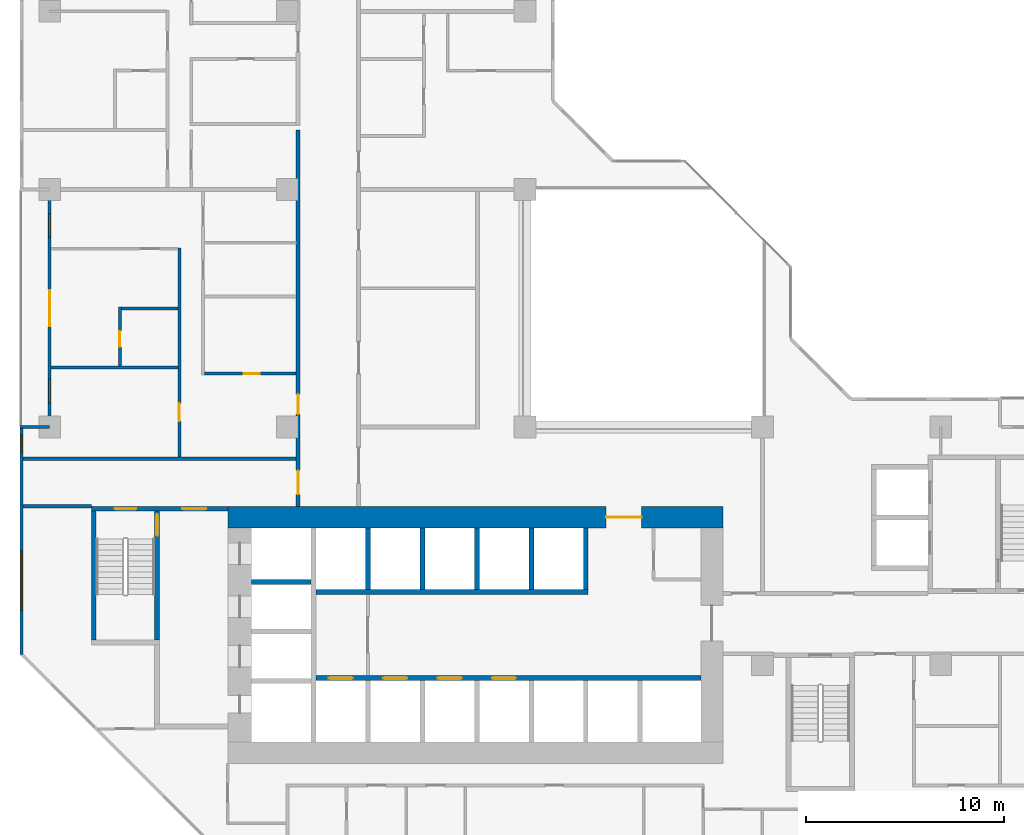
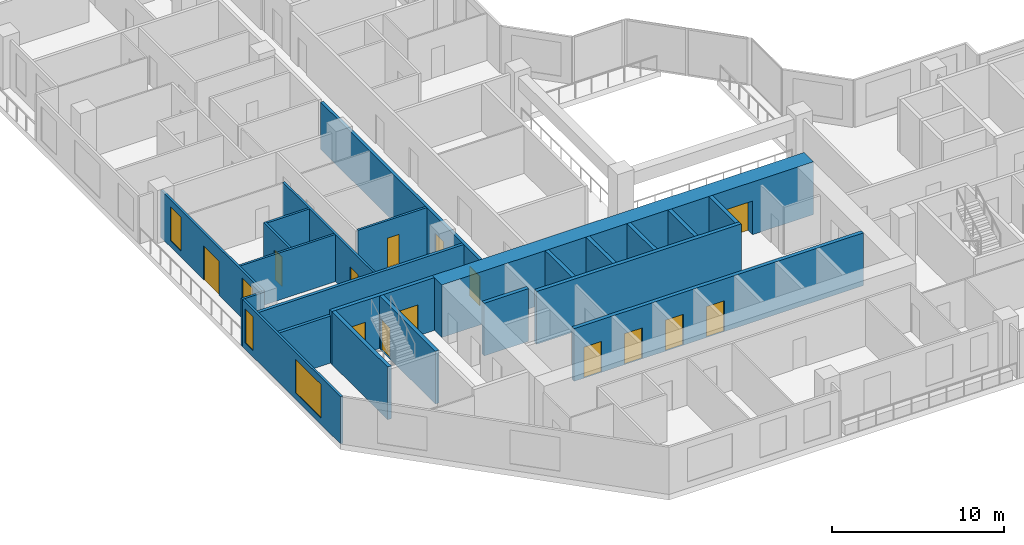
# One storey, part 5 of 15: 23 walls, 14 doors, 4 windows, 18 openings.
"""IFC4 building model written with IfcOpenShell, lengths in metres."""

import ifcopenshell
import ifcopenshell.guid

model = None  # the IFC model being written
_history = None  # IfcOwnerHistory: only IFC2X3 demands one
_inside = {}  # id of a spatial element -> (the spatial element, [elements in it])
_under = {}  # id of a project, library or spatial element -> (it, [spatial elements below it])
_declared = {}  # id of a project -> (the project, [libraries it declares])
_typed = {}  # id of a type object -> (the type object, [elements of that type])
_made_of = {}  # id of a material, layer set ... -> (it, [elements and type objects made of it])


def new_model(schema):
    """Start an empty IFC model of exactly this schema.

    Asked for "IFC4X3", IfcOpenShell would pick the latest addendum, in which some entities
    have other attributes; the version numbers below select the first issue.
    IFC2X3 requires an IfcOwnerHistory on every rooted entity: one is made here for all.
    """
    global model, _history
    if schema == "IFC4X3":
        model = ifcopenshell.file(schema_version=(4, 3, 0, 0))
    else:
        model = ifcopenshell.file(schema=schema)
    _inside.clear()
    _under.clear()
    _declared.clear()
    _typed.clear()
    _made_of.clear()
    _history = None
    if model.schema == "IFC2X3":
        org = make("IfcOrganization", Name="unknown")
        user = make(
            "IfcPersonAndOrganization",
            ThePerson=make("IfcPerson", FamilyName="unknown"),
            TheOrganization=org,
        )
        app = make(
            "IfcApplication",
            ApplicationDeveloper=org,
            Version="unknown",
            ApplicationFullName="unknown",
            ApplicationIdentifier="unknown",
        )
        _history = make(
            "IfcOwnerHistory",
            OwningUser=user,
            OwningApplication=app,
            ChangeAction="ADDED",
            CreationDate=0,
        )
    return model


def make(cls, **values):
    """One entity of the class cls with the attributes given. An attribute that is None is left unset."""
    return model.create_entity(
        cls, **{name: value for name, value in values.items() if value is not None}
    )


def rooted(cls, **values):
    """An entity with a GlobalId (a new one), such as an element, a storey or a relation."""
    return make(cls, GlobalId=ifcopenshell.guid.new(), OwnerHistory=_history, **values)


def si_unit(unit_type, name, prefix=None):
    """IfcSIUnit, for example si_unit("LENGTHUNIT", "METRE", prefix="MILLI")."""
    return make("IfcSIUnit", UnitType=unit_type, Prefix=prefix, Name=name)


def assignment(units):
    """IfcUnitAssignment: the units of a project."""
    return None if units is None else make("IfcUnitAssignment", Units=units)


def point(xyz):
    """IfcCartesianPoint."""
    return None if xyz is None else make("IfcCartesianPoint", Coordinates=xyz)


def direction(xyz):
    """IfcDirection."""
    return None if xyz is None else make("IfcDirection", DirectionRatios=xyz)


def frame(location, z_axis=None, x_axis=None):
    """IfcAxis2Placement3D, a coordinate frame: its origin and axes. An axis left out is left unset."""
    return make(
        "IfcAxis2Placement3D",
        Location=point(location),
        Axis=direction(z_axis),
        RefDirection=direction(x_axis),
    )


def frame_2d(location, x_axis=None):
    """IfcAxis2Placement2D, a coordinate frame in the plane: its origin and x axis."""
    return make(
        "IfcAxis2Placement2D", Location=point(location), RefDirection=direction(x_axis)
    )


def origin():
    """The frame at (0, 0, 0) with its axes left unset."""
    return frame((0.0, 0.0, 0.0))


def place(relative_to, where):
    """IfcLocalPlacement: puts the frame where relative to a parent placement (None: the world)."""
    return make(
        "IfcLocalPlacement", PlacementRelTo=relative_to, RelativePlacement=where
    )


def context(
    kind, dimensions, precision=None, world=None, true_north=None, identifier=None
):
    """IfcGeometricRepresentationContext, for example the 3D "Model" context."""
    return make(
        "IfcGeometricRepresentationContext",
        ContextIdentifier=identifier,
        ContextType=kind,
        CoordinateSpaceDimension=dimensions,
        Precision=precision,
        WorldCoordinateSystem=world,
        TrueNorth=true_north,
    )


def subcontext(parent, identifier, kind, view, scale=None):
    """IfcGeometricRepresentationSubContext, for example "Body" below "Model"."""
    return make(
        "IfcGeometricRepresentationSubContext",
        ContextIdentifier=identifier,
        ContextType=kind,
        ParentContext=parent,
        TargetScale=scale,
        TargetView=view,
    )


def project(units=None, contexts=None):
    """IfcProject with its units and contexts."""
    return rooted(
        "IfcProject",
        Name="project",
        RepresentationContexts=contexts,
        UnitsInContext=assignment(units),
    )


def spatial(cls, under=None, at=None, **own):
    """A site, building, storey or space (cls), placed at a placement, below another one or the project."""
    s = rooted(cls, ObjectPlacement=at, **own)
    if under is not None:
        _under.setdefault(under.id(), (under, []))[1].append(s)
    return s


def profile(cls, at=None, kind="AREA", **sizes):
    """A parametric profile (cls). Its sizes go by their IFC names, for example OverallWidth=200.0."""
    return make(cls, ProfileType=kind, Position=at, **sizes)


def rectangle(**sizes):
    """IfcRectangleProfileDef."""
    return profile("IfcRectangleProfileDef", **sizes)


def extrude(swept, where, along, depth):
    """IfcExtrudedAreaSolid: the profile swept, set in the frame where, extruded along a direction by depth."""
    return make(
        "IfcExtrudedAreaSolid",
        SweptArea=swept,
        Position=where,
        ExtrudedDirection=direction(along),
        Depth=depth,
    )


def shape(context_of_items, identifier, shape_type, items):
    """IfcShapeRepresentation: the items that make up one representation, for example the "Body"."""
    return make(
        "IfcShapeRepresentation",
        ContextOfItems=context_of_items,
        RepresentationIdentifier=identifier,
        RepresentationType=shape_type,
        Items=items,
    )


def material(Name=None, Category=None):
    """IfcMaterial."""
    return make("IfcMaterial", Name=Name, Category=Category)


def layer(
    of_material, thickness, ventilated=None, Name=None, Category=None, Priority=None
):
    """IfcMaterialLayer: one layer of a wall or slab, of a material (None: an air gap)."""
    return make(
        "IfcMaterialLayer",
        Material=of_material,
        LayerThickness=thickness,
        IsVentilated=ventilated,
        Name=Name,
        Category=Category,
        Priority=Priority,
    )


def layer_set(layers, Name=None):
    """IfcMaterialLayerSet."""
    return make("IfcMaterialLayerSet", MaterialLayers=layers, LayerSetName=Name)


def made_of(thing, what):
    """Note that an element or type object is made of a material, layer set ...; save() writes the relation."""
    if what is not None:
        _made_of.setdefault(what.id(), (what, []))[1].append(thing)
    return thing


def type_object(cls, material=None, **own):
    """A type object (cls), such as IfcWallType, which elements share."""
    return made_of(rooted(cls, **own), material)


def element(
    cls,
    number,
    at=None,
    inside=None,
    cuts=None,
    type_object=None,
    material=None,
    context=None,
    identifier="Body",
    shape_type=None,
    held_by="IfcProductDefinitionShape",
    body=None,
    shapes=None,
    **own,
):
    """One element of the class cls, such as IfcWall. Its Tag is "e" and its number.

    at: its placement. inside: the storey or other place that contains it. cuts: it is an
    opening in that element (IfcRelVoidsElement). A single representation is given by context,
    identifier, shape_type and body (its items); several are given by shapes. held_by: the class
    of the entity that holds the representations. save() writes the other relations.
    """
    e = rooted(cls, Tag="e%d" % number, ObjectPlacement=at, **own)
    if body is not None:
        shapes = [shape(context, identifier, shape_type, body)]
    if shapes is not None:
        e.Representation = make(held_by, Representations=shapes)
    if inside is not None:
        _inside.setdefault(inside.id(), (inside, []))[1].append(e)
    if cuts is not None:
        rooted(
            "IfcRelVoidsElement", RelatingBuildingElement=cuts, RelatedOpeningElement=e
        )
    if type_object is not None:
        _typed.setdefault(type_object.id(), (type_object, []))[1].append(e)
    return made_of(e, material)


def fill(opening, filler):
    """IfcRelFillsElement: the door or window that sits in an opening."""
    return rooted(
        "IfcRelFillsElement",
        RelatingOpeningElement=opening,
        RelatedBuildingElement=filler,
    )


def aggregate(whole, parts):
    """IfcRelAggregates: a whole, such as a stair, and the parts it consists of."""
    return rooted("IfcRelAggregates", RelatingObject=whole, RelatedObjects=parts)


def save(model, path):
    """Write the relations noted so far, then the file.

    IfcRelAggregates (storeys below a building ...), IfcRelContainedInSpatialStructure (elements
    in a storey), IfcRelDefinesByType, IfcRelAssociatesMaterial and IfcRelDeclares: one each for
    every whole, place, type object, material and project.
    """
    for whole, parts in _under.values():
        aggregate(whole, parts)
    for where, things in _inside.values():
        rooted(
            "IfcRelContainedInSpatialStructure",
            RelatedElements=things,
            RelatingStructure=where,
        )
    for kind, things in _typed.values():
        rooted("IfcRelDefinesByType", RelatedObjects=things, RelatingType=kind)
    for what, things in _made_of.values():
        rooted("IfcRelAssociatesMaterial", RelatedObjects=things, RelatingMaterial=what)
    for by, libraries in _declared.values():
        rooted("IfcRelDeclares", RelatingContext=by, RelatedDefinitions=libraries)
    model.write(path)


model = new_model("IFC4")

# Units and contexts
model_context = context("Model", 3, precision=1e-05, world=origin(), true_north=direction((0.0, 1.0)))
body_context = subcontext(model_context, "Body", "Model", "MODEL_VIEW")
ifc_project = project(units=[si_unit("LENGTHUNIT", "METRE"), si_unit("AREAUNIT", "SQUARE_METRE"), si_unit("VOLUMEUNIT", "CUBIC_METRE"), si_unit("PLANEANGLEUNIT", "RADIAN"), si_unit("MASSUNIT", "GRAM", prefix="KILO")], contexts=[model_context])

# Site, building, storey
site_placement = place(None, origin())
site = spatial("IfcSite", under=ifc_project, at=site_placement, CompositionType="ELEMENT")
building_placement = place(site_placement, origin())
building = spatial("IfcBuilding", under=site, at=building_placement, Name="Chenar Terraces", CompositionType="ELEMENT")
storey_placement = place(building_placement, frame((0.0, 0.0, 52.64990234375)))
storey = spatial("IfcBuildingStorey", under=building, at=storey_placement, Name="L10", CompositionType="ELEMENT", Elevation=52.64990234375)

# Wall, opening, door
ifc_material_1 = material(Name="Concrete C70/85", Category="concrete")
ifc_layer_1 = layer(ifc_material_1, 1.10009765625)
ifc_layer_set_1 = layer_set([ifc_layer_1], Name="Concrete C70/85")
wall_type_1 = type_object("IfcWallType", Name="Core wall 1100 Concrete C70/85", PredefinedType="SHEAR", material=ifc_layer_set_1)
wall_1_placement = place(storey_placement, frame((9.0, 19.449951171875, 0.0), z_axis=(0.0, 0.0, 1.0), x_axis=(1.0, 0.0, 0.0)))
wall_1 = element("IfcWall", 1, at=wall_1_placement, inside=storey, type_object=wall_type_1, Name="Core wall N L10", PredefinedType="SHEAR", context=body_context, shape_type="SweptSolid", body=[
    extrude(rectangle(XDim=25.0, YDim=1.10009765625, at=frame_2d((12.5, 0.0))), origin(), (0.0, 0.0, 1.0), 3.75),
])
opening_1_placement = place(wall_1_placement, frame((19.10009765625, 0.0, 0.0)))
opening_1 = element("IfcOpeningElement", 2, at=opening_1_placement, cuts=wall_1, Name="Opening DL10-C2", PredefinedType="OPENING", context=body_context, shape_type="SweptSolid", body=[
    extrude(rectangle(XDim=1.800048828125, YDim=2.39990234375, at=frame_2d((0.89990234375, 1.199951171875))), frame((0.0, 0.56005859375, 0.0), z_axis=(0.0, -1.0, 0.0), x_axis=(1.0, 0.0, 0.0)), (0.0, 0.0, 1.0), 1.1201171875),
])
ifc_material_2 = material(Name="Steel-framed fire-resisting door leaf", Category="steel")
door_type_1 = type_object("IfcDoorType", Name="Core entrance double fire door FD60 1800 x 2400", OperationType="DOUBLE_DOOR_SINGLE_SWING", PredefinedType="DOOR", material=ifc_material_2)
door_1_placement = place(opening_1_placement, frame((1.800048828125, 0.0, 0.0), z_axis=(0.0, 0.0, 1.0), x_axis=(-1.0, 0.0, 0.0)))
door_1 = element("IfcDoor", 3, at=door_1_placement, inside=storey, type_object=door_type_1, Name="Core door DL10-C2", OperationType="DOUBLE_DOOR_SINGLE_SWING", OverallHeight=2.39990234375, OverallWidth=1.800048828125, PredefinedType="DOOR", context=body_context, shape_type="SweptSolid", body=[
    extrude(rectangle(XDim=1.800048828125, YDim=2.39990234375, at=frame_2d((0.89990234375, 1.199951171875))), frame((0.0, 0.02490234375, 0.0), z_axis=(0.0, -1.0, 0.0), x_axis=(1.0, 0.0, 0.0)), (0.0, 0.0, 1.0), 0.050048828125),
])
fill(opening_1, door_1)

# Wall, openings, doors
ifc_material_3 = material(Name="Concrete C70/85", Category="concrete")
ifc_layer_2 = layer(ifc_material_3, 0.25)
ifc_layer_set_2 = layer_set([ifc_layer_2], Name="Concrete C70/85")
wall_type_2 = type_object("IfcWallType", Name="Core wall 250 Concrete C70/85", PredefinedType="SHEAR", material=ifc_layer_set_2)
wall_2_placement = place(storey_placement, frame((13.449951171875, 11.324951171875, 0.0), z_axis=(0.0, 0.0, 1.0), x_axis=(1.0, 0.0, 0.0)))
wall_2 = element("IfcWall", 4, at=wall_2_placement, inside=storey, type_object=wall_type_2, Name="Core wall SF L10", PredefinedType="SHEAR", context=body_context, shape_type="SweptSolid", body=[
    extrude(rectangle(XDim=19.449951171875, YDim=0.25, at=frame_2d((9.72509765625, 0.0))), origin(), (0.0, 0.0, 1.0), 3.75),
])
opening_2_placement = place(wall_2_placement, frame((0.64990234375, 0.0, 0.0)))
opening_2 = element("IfcOpeningElement", 5, at=opening_2_placement, cuts=wall_2, Name="Opening DL10-LD1", PredefinedType="OPENING", context=body_context, shape_type="SweptSolid", body=[
    extrude(rectangle(XDim=1.199951171875, YDim=2.199951171875, at=frame_2d((0.60009765625, 1.10009765625))), frame((0.0, 0.135009765625, 0.0), z_axis=(0.0, -1.0, 0.0), x_axis=(1.0, 0.0, 0.0)), (0.0, 0.0, 1.0), 0.27001953125),
])
opening_3_placement = place(wall_2_placement, frame((3.39990234375, 0.0, 0.0)))
opening_3 = element("IfcOpeningElement", 6, at=opening_3_placement, cuts=wall_2, Name="Opening DL10-LD2", PredefinedType="OPENING", context=body_context, shape_type="SweptSolid", body=[
    extrude(rectangle(XDim=1.199951171875, YDim=2.199951171875, at=frame_2d((0.60009765625, 1.10009765625))), frame((0.0, 0.135009765625, 0.0), z_axis=(0.0, -1.0, 0.0), x_axis=(1.0, 0.0, 0.0)), (0.0, 0.0, 1.0), 0.27001953125),
])
opening_4_placement = place(wall_2_placement, frame((6.14990234375, 0.0, 0.0)))
opening_4 = element("IfcOpeningElement", 7, at=opening_4_placement, cuts=wall_2, Name="Opening DL10-LD3", PredefinedType="OPENING", context=body_context, shape_type="SweptSolid", body=[
    extrude(rectangle(XDim=1.199951171875, YDim=2.199951171875, at=frame_2d((0.60009765625, 1.10009765625))), frame((0.0, 0.135009765625, 0.0), z_axis=(0.0, -1.0, 0.0), x_axis=(1.0, 0.0, 0.0)), (0.0, 0.0, 1.0), 0.27001953125),
])
opening_5_placement = place(wall_2_placement, frame((8.89990234375, 0.0, 0.0)))
opening_5 = element("IfcOpeningElement", 8, at=opening_5_placement, cuts=wall_2, Name="Opening DL10-LD4", PredefinedType="OPENING", context=body_context, shape_type="SweptSolid", body=[
    extrude(rectangle(XDim=1.199951171875, YDim=2.199951171875, at=frame_2d((0.60009765625, 1.10009765625))), frame((0.0, 0.135009765625, 0.0), z_axis=(0.0, -1.0, 0.0), x_axis=(1.0, 0.0, 0.0)), (0.0, 0.0, 1.0), 0.27001953125),
])
ifc_material_4 = material(Name="Stainless steel", Category="steel")
door_type_2 = type_object("IfcDoorType", Name="Lift landing door 1200 x 2200 sliding", OperationType="DOUBLE_DOOR_SLIDING", PredefinedType="DOOR", material=ifc_material_4)
door_2_placement = place(opening_2_placement, origin())
door_2 = element("IfcDoor", 9, at=door_2_placement, inside=storey, type_object=door_type_2, Name="Landing door L1", OperationType="DOUBLE_DOOR_SLIDING", OverallHeight=2.199951171875, OverallWidth=1.199951171875, PredefinedType="DOOR", context=body_context, shape_type="SweptSolid", body=[
    extrude(rectangle(XDim=1.199951171875, YDim=2.199951171875, at=frame_2d((0.60009765625, 1.10009765625))), frame((0.0, 0.02490234375, 0.0), z_axis=(0.0, -1.0, 0.0), x_axis=(1.0, 0.0, 0.0)), (0.0, 0.0, 1.0), 0.050048828125),
])
fill(opening_2, door_2)
door_3_placement = place(opening_3_placement, origin())
door_3 = element("IfcDoor", 10, at=door_3_placement, inside=storey, type_object=door_type_2, Name="Landing door L2", OperationType="DOUBLE_DOOR_SLIDING", OverallHeight=2.199951171875, OverallWidth=1.199951171875, PredefinedType="DOOR", context=body_context, shape_type="SweptSolid", body=[
    extrude(rectangle(XDim=1.199951171875, YDim=2.199951171875, at=frame_2d((0.60009765625, 1.10009765625))), frame((0.0, 0.02490234375, 0.0), z_axis=(0.0, -1.0, 0.0), x_axis=(1.0, 0.0, 0.0)), (0.0, 0.0, 1.0), 0.050048828125),
])
fill(opening_3, door_3)
door_4_placement = place(opening_4_placement, origin())
door_4 = element("IfcDoor", 11, at=door_4_placement, inside=storey, type_object=door_type_2, Name="Landing door L3", OperationType="DOUBLE_DOOR_SLIDING", OverallHeight=2.199951171875, OverallWidth=1.199951171875, PredefinedType="DOOR", context=body_context, shape_type="SweptSolid", body=[
    extrude(rectangle(XDim=1.199951171875, YDim=2.199951171875, at=frame_2d((0.60009765625, 1.10009765625))), frame((0.0, 0.02490234375, 0.0), z_axis=(0.0, -1.0, 0.0), x_axis=(1.0, 0.0, 0.0)), (0.0, 0.0, 1.0), 0.050048828125),
])
fill(opening_4, door_4)
door_5_placement = place(opening_5_placement, origin())
door_5 = element("IfcDoor", 12, at=door_5_placement, inside=storey, type_object=door_type_2, Name="Landing door L4", OperationType="DOUBLE_DOOR_SLIDING", OverallHeight=2.199951171875, OverallWidth=1.199951171875, PredefinedType="DOOR", context=body_context, shape_type="SweptSolid", body=[
    extrude(rectangle(XDim=1.199951171875, YDim=2.199951171875, at=frame_2d((0.60009765625, 1.10009765625))), frame((0.0, 0.02490234375, 0.0), z_axis=(0.0, -1.0, 0.0), x_axis=(1.0, 0.0, 0.0)), (0.0, 0.0, 1.0), 0.050048828125),
])
fill(opening_5, door_5)

# Walls
wall_3_placement = place(storey_placement, frame((13.449951171875, 15.675048828125, 0.0), z_axis=(0.0, 0.0, 1.0), x_axis=(1.0, 0.0, 0.0)))
element("IfcWall", 13, at=wall_3_placement, inside=storey, type_object=wall_type_2, Name="Core wall NF L10", PredefinedType="SHEAR", context=body_context, shape_type="SweptSolid", body=[
    extrude(rectangle(XDim=13.75, YDim=0.25, at=frame_2d((6.875, 0.0))), origin(), (0.0, 0.0, 1.0), 3.75),
])
wall_4_placement = place(storey_placement, frame((10.199951171875, 16.175048828125, 0.0), z_axis=(0.0, 0.0, 1.0), x_axis=(1.0, 0.0, 0.0)))
element("IfcWall", 14, at=wall_4_placement, inside=storey, type_object=wall_type_2, Name="Core wall HW2 L10", PredefinedType="SHEAR", context=body_context, shape_type="SweptSolid", body=[
    extrude(rectangle(XDim=3.0, YDim=0.25, at=frame_2d((1.5, 0.0))), origin(), (0.0, 0.0, 1.0), 3.75),
])
for number, where, z_axis, x_axis, name in (
    (15, (16.074951171875, 15.800048828125, 0.0), (0.0, 0.0, 1.0), (0.0, 1.0, 0.0), "Core wall NS0 L10"),
    (16, (18.824951171875, 15.800048828125, 0.0), (0.0, 0.0, 1.0), (0.0, 1.0, 0.0), "Core wall NS1 L10"),
    (17, (21.574951171875, 15.800048828125, 0.0), (0.0, 0.0, 1.0), (0.0, 1.0, 0.0), "Core wall NS2 L10"),
    (18, (24.324951171875, 15.800048828125, 0.0), (0.0, 0.0, 1.0), (0.0, 1.0, 0.0), "Core wall NS3 L10"),
    (19, (27.074951171875, 15.800048828125, 0.0), (0.0, 0.0, 1.0), (0.0, 1.0, 0.0), "Core wall NE L10"),
):
    element("IfcWall", number, at=place(storey_placement, frame(where, z_axis=z_axis, x_axis=x_axis)), inside=storey, type_object=wall_type_2, Name=name, PredefinedType="SHEAR", context=body_context, shape_type="SweptSolid", body=[
        extrude(rectangle(XDim=3.099853515625, YDim=0.25, at=frame_2d((1.5498046875, 0.0))), origin(), (0.0, 0.0, 1.0), 3.75),
    ])

# Wall, openings, doors
wall_5_placement = place(storey_placement, frame((2.10009765625, 19.875, 0.0), z_axis=(0.0, 0.0, 1.0), x_axis=(1.0, 0.0, 0.0)))
wall_5 = element("IfcWall", 20, at=wall_5_placement, inside=storey, type_object=wall_type_2, Name="Core wall A_N L10", PredefinedType="SHEAR", context=body_context, shape_type="SweptSolid", body=[
    extrude(rectangle(XDim=6.89990234375, YDim=0.25, at=frame_2d((3.449951171875, 0.0))), origin(), (0.0, 0.0, 1.0), 3.75),
])
opening_6_placement = place(wall_5_placement, frame((1.175048828125, 0.0, 0.0)))
opening_6 = element("IfcOpeningElement", 21, at=opening_6_placement, cuts=wall_5, Name="Opening DL10-C5", PredefinedType="OPENING", context=body_context, shape_type="SweptSolid", body=[
    extrude(rectangle(XDim=1.10009765625, YDim=2.199951171875, at=frame_2d((0.550048828125, 1.10009765625))), frame((0.0, 0.135009765625, 0.0), z_axis=(0.0, -1.0, 0.0), x_axis=(1.0, 0.0, 0.0)), (0.0, 0.0, 1.0), 0.27001953125),
])
opening_7_placement = place(wall_5_placement, frame((4.60009765625, 0.0, 0.0)))
opening_7 = element("IfcOpeningElement", 22, at=opening_7_placement, cuts=wall_5, Name="Opening DL10-C6", PredefinedType="OPENING", context=body_context, shape_type="SweptSolid", body=[
    extrude(rectangle(XDim=1.199951171875, YDim=2.199951171875, at=frame_2d((0.60009765625, 1.10009765625))), frame((0.0, 0.135009765625, 0.0), z_axis=(0.0, -1.0, 0.0), x_axis=(1.0, 0.0, 0.0)), (0.0, 0.0, 1.0), 0.27001953125),
])
ifc_material_5 = material(Name="Steel-framed fire-resisting door leaf", Category="steel")
door_type_3 = type_object("IfcDoorType", Name="Lobby fire door FD60 1200 x 2200", OperationType="SINGLE_SWING_LEFT", PredefinedType="DOOR", material=ifc_material_5)
door_6_placement = place(opening_7_placement, frame((1.199951171875, 0.0, 0.0), z_axis=(0.0, 0.0, 1.0), x_axis=(-1.0, 0.0, 0.0)))
door_6 = element("IfcDoor", 23, at=door_6_placement, inside=storey, type_object=door_type_3, Name="Core door DL10-C6", OperationType="SINGLE_SWING_LEFT", OverallHeight=2.199951171875, OverallWidth=1.199951171875, PredefinedType="DOOR", context=body_context, shape_type="SweptSolid", body=[
    extrude(rectangle(XDim=1.199951171875, YDim=2.199951171875, at=frame_2d((0.60009765625, 1.10009765625))), frame((0.0, 0.02490234375, 0.0), z_axis=(0.0, -1.0, 0.0), x_axis=(1.0, 0.0, 0.0)), (0.0, 0.0, 1.0), 0.050048828125),
])
fill(opening_7, door_6)
ifc_material_6 = material(Name="Steel-framed fire-resisting door leaf", Category="steel")
door_type_4 = type_object("IfcDoorType", Name="Stair fire door FD60 1100 x 2200", OperationType="SINGLE_SWING_LEFT", PredefinedType="DOOR", material=ifc_material_6)
door_7_placement = place(opening_6_placement, origin())
door_7 = element("IfcDoor", 24, at=door_7_placement, inside=storey, type_object=door_type_4, Name="Stair door DL10-C5", OperationType="SINGLE_SWING_LEFT", OverallHeight=2.199951171875, OverallWidth=1.10009765625, PredefinedType="DOOR", context=body_context, shape_type="SweptSolid", body=[
    extrude(rectangle(XDim=1.10009765625, YDim=2.199951171875, at=frame_2d((0.550048828125, 1.10009765625))), frame((0.0, 0.02490234375, 0.0), z_axis=(0.0, -1.0, 0.0), x_axis=(1.0, 0.0, 0.0)), (0.0, 0.0, 1.0), 0.050048828125),
])
fill(opening_6, door_7)

# Wall
wall_6_placement = place(storey_placement, frame((2.22509765625, 13.25, 0.0), z_axis=(0.0, 0.0, 1.0), x_axis=(0.0, 1.0, 0.0)))
element("IfcWall", 25, at=wall_6_placement, inside=storey, type_object=wall_type_2, Name="Core wall ST1_W L10", PredefinedType="SHEAR", context=body_context, shape_type="SweptSolid", body=[
    extrude(rectangle(XDim=6.5, YDim=0.25, at=frame_2d((3.25, 0.0))), origin(), (0.0, 0.0, 1.0), 3.75),
])

# Wall, opening, door
wall_7_placement = place(storey_placement, frame((5.425048828125, 13.25, 0.0), z_axis=(0.0, 0.0, 1.0), x_axis=(0.0, 1.0, 0.0)))
wall_7 = element("IfcWall", 26, at=wall_7_placement, inside=storey, type_object=wall_type_2, Name="Core wall ST1_E L10", PredefinedType="SHEAR", context=body_context, shape_type="SweptSolid", body=[
    extrude(rectangle(XDim=6.5, YDim=0.25, at=frame_2d((3.25, 0.0))), origin(), (0.0, 0.0, 1.0), 3.75),
])
opening_8_placement = place(wall_7_placement, frame((5.25, 0.0, 0.0)))
opening_8 = element("IfcOpeningElement", 27, at=opening_8_placement, cuts=wall_7, Name="Opening DL10-C3", PredefinedType="OPENING", context=body_context, shape_type="SweptSolid", body=[
    extrude(rectangle(XDim=1.10009765625, YDim=2.199951171875, at=frame_2d((0.550048828125, 1.10009765625))), frame((0.0, 0.135009765625, 0.0), z_axis=(0.0, -1.0, 0.0), x_axis=(1.0, 0.0, 0.0)), (0.0, 0.0, 1.0), 0.27001953125),
])
door_8_placement = place(opening_8_placement, origin())
door_8 = element("IfcDoor", 28, at=door_8_placement, inside=storey, type_object=door_type_4, Name="Stair door DL10-C3", OperationType="SINGLE_SWING_RIGHT", OverallHeight=2.199951171875, OverallWidth=1.10009765625, PredefinedType="DOOR", context=body_context, shape_type="SweptSolid", body=[
    extrude(rectangle(XDim=1.10009765625, YDim=2.199951171875, at=frame_2d((0.550048828125, 1.10009765625))), frame((0.0, 0.02490234375, 0.0), z_axis=(0.0, -1.0, 0.0), x_axis=(1.0, 0.0, 0.0)), (0.0, 0.0, 1.0), 0.050048828125),
])
fill(opening_8, door_8)

# Walls
ifc_material_7 = material(Name="Gypsum board on steel studs with fire boards", Category="steel")
ifc_layer_3 = layer(ifc_material_7, 0.199951171875)
ifc_layer_set_3 = layer_set([ifc_layer_3], Name="Gypsum board on steel studs with fire boards")
wall_type_3 = type_object("IfcWallType", Name="Corridor wall 200", PredefinedType="PARTITIONING", material=ifc_layer_set_3)
wall_8_placement = place(storey_placement, frame((-1.35009765625, 20.0, 0.0), z_axis=(0.0, 0.0, 1.0), x_axis=(1.0, 0.0, 0.0)))
element("IfcWall", 29, at=wall_8_placement, inside=storey, type_object=wall_type_3, Name="Partition L10-002", PredefinedType="PARTITIONING", context=body_context, shape_type="SweptSolid", body=[
    extrude(rectangle(XDim=3.4501953125, YDim=0.199951171875, at=frame_2d((1.72509765625, 0.0))), origin(), (0.0, 0.0, 1.0), 3.35009765625),
])
wall_9_placement = place(storey_placement, frame((-1.35009765625, 22.39990234375, 0.0), z_axis=(0.0, 0.0, 1.0), x_axis=(1.0, 0.0, 0.0)))
element("IfcWall", 30, at=wall_9_placement, inside=storey, type_object=wall_type_3, Name="Partition L10-003", PredefinedType="PARTITIONING", context=body_context, shape_type="SweptSolid", body=[
    extrude(rectangle(XDim=13.800048828125, YDim=0.199951171875, at=frame_2d((6.89990234375, 0.0))), origin(), (0.0, 0.0, 1.0), 3.35009765625),
])

# Wall, openings, doors
wall_10_placement = place(storey_placement, frame((12.550048828125, 20.0, 0.0), z_axis=(0.0, 0.0, 1.0), x_axis=(0.0, 1.0, 0.0)))
wall_10 = element("IfcWall", 31, at=wall_10_placement, inside=storey, type_object=wall_type_3, Name="Partition L10-041", PredefinedType="PARTITIONING", context=body_context, shape_type="SweptSolid", body=[
    extrude(rectangle(XDim=19.0, YDim=0.199951171875, at=frame_2d((9.5, 0.0))), origin(), (0.0, 0.0, 1.0), 3.35009765625),
])
opening_9_placement = place(wall_10_placement, frame((0.60009765625, 0.0, 0.0)))
opening_9 = element("IfcOpeningElement", 32, at=opening_9_placement, cuts=wall_10, Name="Opening DL10-48", PredefinedType="OPENING", context=body_context, shape_type="SweptSolid", body=[
    extrude(rectangle(XDim=1.199951171875, YDim=2.10009765625, at=frame_2d((0.60009765625, 1.050048828125))), frame((0.0, 0.10986328125, 0.0), z_axis=(0.0, -1.0, 0.0), x_axis=(1.0, 0.0, 0.0)), (0.0, 0.0, 1.0), 0.219970703125),
])
opening_10_placement = place(wall_10_placement, frame((4.64990234375, 0.0, 0.0)))
opening_10 = element("IfcOpeningElement", 33, at=opening_10_placement, cuts=wall_10, Name="Opening DL10-72", PredefinedType="OPENING", context=body_context, shape_type="SweptSolid", body=[
    extrude(rectangle(XDim=1.0, YDim=2.10009765625, at=frame_2d((0.5, 1.050048828125))), frame((0.0, 0.10986328125, 0.0), z_axis=(0.0, -1.0, 0.0), x_axis=(1.0, 0.0, 0.0)), (0.0, 0.0, 1.0), 0.219970703125),
])
ifc_material_8 = material(Name="Steel-framed fire-resisting door leaf", Category="steel")
door_type_5 = type_object("IfcDoorType", Name="Fire door FD30S 1000 x 2100", OperationType="SINGLE_SWING_LEFT", PredefinedType="DOOR", material=ifc_material_8)
door_9_placement = place(opening_10_placement, origin())
door_9 = element("IfcDoor", 34, at=door_9_placement, inside=storey, type_object=door_type_5, Name="Door DL10-72", OperationType="SINGLE_SWING_LEFT", OverallHeight=2.10009765625, OverallWidth=1.0, PredefinedType="DOOR", context=body_context, shape_type="SweptSolid", body=[
    extrude(rectangle(XDim=1.0, YDim=2.10009765625, at=frame_2d((0.5, 1.050048828125))), frame((0.0, 0.02490234375, 0.0), z_axis=(0.0, -1.0, 0.0), x_axis=(1.0, 0.0, 0.0)), (0.0, 0.0, 1.0), 0.050048828125),
])
fill(opening_10, door_9)
ifc_material_9 = material(Name="Steel-framed fire-resisting door leaf", Category="steel")
door_type_6 = type_object("IfcDoorType", Name="Fire door FD30S 1200 x 2100", OperationType="SINGLE_SWING_LEFT", PredefinedType="DOOR", material=ifc_material_9)
door_10_placement = place(opening_9_placement, origin())
door_10 = element("IfcDoor", 35, at=door_10_placement, inside=storey, type_object=door_type_6, Name="Door DL10-48", OperationType="SINGLE_SWING_RIGHT", OverallHeight=2.10009765625, OverallWidth=1.199951171875, PredefinedType="DOOR", context=body_context, shape_type="SweptSolid", body=[
    extrude(rectangle(XDim=1.199951171875, YDim=2.10009765625, at=frame_2d((0.60009765625, 1.050048828125))), frame((0.0, 0.02490234375, 0.0), z_axis=(0.0, -1.0, 0.0), x_axis=(1.0, 0.0, 0.0)), (0.0, 0.0, 1.0), 0.050048828125),
])
fill(opening_9, door_10)

# Wall, openings, windows
ifc_material_10 = material(Name="Aluminium framed glazing", Category="aluminium")
ifc_layer_4 = layer(ifc_material_10, 0.14990234375)
ifc_layer_set_4 = layer_set([ifc_layer_4], Name="Aluminium framed glazing")
wall_type_4 = type_object("IfcWallType", Name="Glazed flush facade wall 150", PredefinedType="SOLIDWALL", material=ifc_layer_set_4)
wall_11_placement = place(storey_placement, frame((-1.425048828125, 23.925048828125, 0.0), z_axis=(0.0, 0.0, 1.0), x_axis=(0.0, -1.0, 0.0)))
wall_11 = element("IfcWall", 36, at=wall_11_placement, inside=storey, type_object=wall_type_4, Name="Glazed flush facade wall", PredefinedType="SOLIDWALL", context=body_context, shape_type="SweptSolid", body=[
    extrude(rectangle(XDim=11.425048828125, YDim=0.14990234375, at=frame_2d((5.71240234375, 0.0))), origin(), (0.0, 0.0, 1.0), 3.35009765625),
])
opening_11_placement = place(wall_11_placement, frame((0.3125, 0.0, 0.449951171875)))
opening_11 = element("IfcOpeningElement", 37, at=opening_11_placement, cuts=wall_11, Name="Opening W90x240", PredefinedType="OPENING", context=body_context, shape_type="SweptSolid", body=[
    extrude(rectangle(XDim=0.89990234375, YDim=2.39990234375, at=frame_2d((0.449951171875, 1.199951171875))), frame((0.0, 0.0849609375, 0.0), z_axis=(0.0, -1.0, 0.0), x_axis=(1.0, 0.0, 0.0)), (0.0, 0.0, 1.0), 0.169921875),
])
opening_12_placement = place(wall_11_placement, frame((6.175048828125, 0.0, 0.449951171875)))
opening_12 = element("IfcOpeningElement", 38, at=opening_12_placement, cuts=wall_11, Name="Opening W300x240", PredefinedType="OPENING", context=body_context, shape_type="SweptSolid", body=[
    extrude(rectangle(XDim=3.0, YDim=2.39990234375, at=frame_2d((1.5, 1.199951171875))), frame((0.0, 0.0849609375, 0.0), z_axis=(0.0, -1.0, 0.0), x_axis=(1.0, 0.0, 0.0)), (0.0, 0.0, 1.0), 0.169921875),
])
ifc_material_11 = material(Name="Low emissivity double glazing, aluminium frame", Category="aluminium")
window_type_1 = type_object("IfcWindowType", Name="Fixed light 3000 x 2400", PartitioningType="SINGLE_PANEL", PredefinedType="WINDOW", material=ifc_material_11)
window_1_placement = place(opening_12_placement, origin())
window_1 = element("IfcWindow", 39, at=window_1_placement, inside=storey, type_object=window_type_1, Name="Window", OverallHeight=2.39990234375, OverallWidth=3.0, PartitioningType="SINGLE_PANEL", PredefinedType="WINDOW", context=body_context, shape_type="SweptSolid", body=[
    extrude(rectangle(XDim=3.0, YDim=2.39990234375, at=frame_2d((1.5, 1.199951171875))), frame((0.0, 0.030029296875, 0.0), z_axis=(0.0, -1.0, 0.0), x_axis=(1.0, 0.0, 0.0)), (0.0, 0.0, 1.0), 0.06005859375),
])
fill(opening_12, window_1)
ifc_material_12 = material(Name="Low emissivity double glazing, aluminium frame", Category="aluminium")
window_type_2 = type_object("IfcWindowType", Name="Fixed light 900 x 2400", PartitioningType="SINGLE_PANEL", PredefinedType="WINDOW", material=ifc_material_12)
window_2_placement = place(opening_11_placement, origin())
window_2 = element("IfcWindow", 40, at=window_2_placement, inside=storey, type_object=window_type_2, Name="Window", OverallHeight=2.39990234375, OverallWidth=0.89990234375, PartitioningType="SINGLE_PANEL", PredefinedType="WINDOW", context=body_context, shape_type="SweptSolid", body=[
    extrude(rectangle(XDim=0.89990234375, YDim=2.39990234375, at=frame_2d((0.449951171875, 1.199951171875))), frame((0.0, 0.030029296875, 0.0), z_axis=(0.0, -1.0, 0.0), x_axis=(1.0, 0.0, 0.0)), (0.0, 0.0, 1.0), 0.06005859375),
])
fill(opening_11, window_2)

# Wall, openings, windows, door
ifc_material_13 = material(Name="Aluminium framed glazing", Category="aluminium")
ifc_layer_5 = layer(ifc_material_13, 0.14990234375)
ifc_layer_set_5 = layer_set([ifc_layer_5], Name="Aluminium framed glazing")
wall_type_5 = type_object("IfcWallType", Name="Glazed loggia back wall 150", PredefinedType="SOLIDWALL", material=ifc_layer_set_5)
wall_12_placement = place(storey_placement, frame((0.0, 35.925048828125, 0.0), z_axis=(0.0, 0.0, 1.0), x_axis=(0.0, -1.0, 0.0)))
wall_12 = element("IfcWall", 41, at=wall_12_placement, inside=storey, type_object=wall_type_5, Name="Glazed loggia back wall", PredefinedType="SOLIDWALL", context=body_context, shape_type="SweptSolid", body=[
    extrude(rectangle(XDim=11.85009765625, YDim=0.14990234375, at=frame_2d((5.925048828125, 0.0))), origin(), (0.0, 0.0, 1.0), 3.35009765625),
])
opening_13_placement = place(wall_12_placement, frame((1.14990234375, 0.0, 0.449951171875)))
opening_13 = element("IfcOpeningElement", 42, at=opening_13_placement, cuts=wall_12, Name="Opening W120x240", PredefinedType="OPENING", context=body_context, shape_type="SweptSolid", body=[
    extrude(rectangle(XDim=1.199951171875, YDim=2.39990234375, at=frame_2d((0.60009765625, 1.199951171875))), frame((0.0, 0.0849609375, 0.0), z_axis=(0.0, -1.0, 0.0), x_axis=(1.0, 0.0, 0.0)), (0.0, 0.0, 1.0), 0.169921875),
])
opening_14_placement = place(wall_12_placement, frame((5.02490234375, 0.0, 0.0)))
opening_14 = element("IfcOpeningElement", 43, at=opening_14_placement, cuts=wall_12, Name="Opening DL10-G4", PredefinedType="OPENING", context=body_context, shape_type="SweptSolid", body=[
    extrude(rectangle(XDim=1.800048828125, YDim=2.39990234375, at=frame_2d((0.89990234375, 1.199951171875))), frame((0.0, 0.0849609375, 0.0), z_axis=(0.0, -1.0, 0.0), x_axis=(1.0, 0.0, 0.0)), (0.0, 0.0, 1.0), 0.169921875),
])
opening_15_placement = place(wall_12_placement, frame((9.5, 0.0, 0.449951171875)))
opening_15 = element("IfcOpeningElement", 44, at=opening_15_placement, cuts=wall_12, Name="Opening W120x240", PredefinedType="OPENING", context=body_context, shape_type="SweptSolid", body=[
    extrude(rectangle(XDim=1.199951171875, YDim=2.39990234375, at=frame_2d((0.60009765625, 1.199951171875))), frame((0.0, 0.0849609375, 0.0), z_axis=(0.0, -1.0, 0.0), x_axis=(1.0, 0.0, 0.0)), (0.0, 0.0, 1.0), 0.169921875),
])
ifc_material_14 = material(Name="Low emissivity double glazing, aluminium frame", Category="aluminium")
window_type_3 = type_object("IfcWindowType", Name="Fixed light 1200 x 2400", PartitioningType="SINGLE_PANEL", PredefinedType="WINDOW", material=ifc_material_14)
window_3_placement = place(opening_13_placement, origin())
window_3 = element("IfcWindow", 45, at=window_3_placement, inside=storey, type_object=window_type_3, Name="Window", OverallHeight=2.39990234375, OverallWidth=1.199951171875, PartitioningType="SINGLE_PANEL", PredefinedType="WINDOW", context=body_context, shape_type="SweptSolid", body=[
    extrude(rectangle(XDim=1.199951171875, YDim=2.39990234375, at=frame_2d((0.60009765625, 1.199951171875))), frame((0.0, 0.030029296875, 0.0), z_axis=(0.0, -1.0, 0.0), x_axis=(1.0, 0.0, 0.0)), (0.0, 0.0, 1.0), 0.06005859375),
])
fill(opening_13, window_3)
window_4_placement = place(opening_15_placement, origin())
window_4 = element("IfcWindow", 46, at=window_4_placement, inside=storey, type_object=window_type_3, Name="Window", OverallHeight=2.39990234375, OverallWidth=1.199951171875, PartitioningType="SINGLE_PANEL", PredefinedType="WINDOW", context=body_context, shape_type="SweptSolid", body=[
    extrude(rectangle(XDim=1.199951171875, YDim=2.39990234375, at=frame_2d((0.60009765625, 1.199951171875))), frame((0.0, 0.030029296875, 0.0), z_axis=(0.0, -1.0, 0.0), x_axis=(1.0, 0.0, 0.0)), (0.0, 0.0, 1.0), 0.06005859375),
])
fill(opening_15, window_4)
ifc_material_15 = material(Name="Low emissivity double glazing, aluminium frame", Category="aluminium")
door_type_7 = type_object("IfcDoorType", Name="Loggia glazed double door 1800 x 2400", OperationType="DOUBLE_DOOR_SINGLE_SWING", PredefinedType="DOOR", material=ifc_material_15)
door_11_placement = place(opening_14_placement, frame((1.800048828125, 0.0, 0.0), z_axis=(0.0, 0.0, 1.0), x_axis=(-1.0, 0.0, 0.0)))
door_11 = element("IfcDoor", 47, at=door_11_placement, inside=storey, type_object=door_type_7, Name="Loggia glazed door", OperationType="DOUBLE_DOOR_SINGLE_SWING", OverallHeight=2.39990234375, OverallWidth=1.800048828125, PredefinedType="DOOR", context=body_context, shape_type="SweptSolid", body=[
    extrude(rectangle(XDim=1.800048828125, YDim=2.39990234375, at=frame_2d((0.89990234375, 1.199951171875))), frame((0.0, 0.02490234375, 0.0), z_axis=(0.0, -1.0, 0.0), x_axis=(1.0, 0.0, 0.0)), (0.0, 0.0, 1.0), 0.050048828125),
])
fill(opening_14, door_11)

# Walls
ifc_material_16 = material(Name="Terracotta cladding on insulated backing", Category="masonry")
ifc_layer_6 = layer(ifc_material_16, 0.14990234375)
ifc_layer_set_6 = layer_set([ifc_layer_6], Name="Terracotta cladding on insulated backing")
wall_type_6 = type_object("IfcWallType", Name="Loggia return wall 150", PredefinedType="SOLIDWALL", material=ifc_layer_set_6)
wall_13_placement = place(storey_placement, frame((-1.5, 24.0, 0.0), z_axis=(0.0, 0.0, 1.0), x_axis=(1.0, 0.0, 0.0)))
element("IfcWall", 48, at=wall_13_placement, inside=storey, type_object=wall_type_6, Name="Loggia return wall", PredefinedType="SOLIDWALL", context=body_context, shape_type="SweptSolid", body=[
    extrude(rectangle(XDim=1.5, YDim=0.14990234375, at=frame_2d((0.75, 0.0))), origin(), (0.0, 0.0, 1.0), 3.35009765625),
])
ifc_material_17 = material(Name="Moisture-resistant gypsum board on steel studs", Category="steel")
ifc_layer_7 = layer(ifc_material_17, 0.14990234375)
ifc_layer_set_7 = layer_set([ifc_layer_7], Name="Moisture-resistant gypsum board on steel studs")
wall_type_7 = type_object("IfcWallType", Name="Wet-room partition 150", PredefinedType="PARTITIONING", material=ifc_layer_set_7)
wall_14_placement = place(storey_placement, frame((0.073974609375, 27.0, 0.0), z_axis=(0.0, 0.0, 1.0), x_axis=(1.0, 0.0, 0.0)))
element("IfcWall", 49, at=wall_14_placement, inside=storey, type_object=wall_type_7, Name="Partition L10-007", PredefinedType="PARTITIONING", context=body_context, shape_type="SweptSolid", body=[
    extrude(rectangle(XDim=6.401123046875, YDim=0.14990234375, at=frame_2d((3.20068359375, 0.0))), origin(), (0.0, 0.0, 1.0), 3.35009765625),
])

# Wall, opening, door
wall_15_placement = place(storey_placement, frame((3.550048828125, 27.074951171875, 0.0), z_axis=(0.0, 0.0, 1.0), x_axis=(0.0, 1.0, 0.0)))
wall_15 = element("IfcWall", 50, at=wall_15_placement, inside=storey, type_object=wall_type_7, Name="Partition L10-014", PredefinedType="PARTITIONING", context=body_context, shape_type="SweptSolid", body=[
    extrude(rectangle(XDim=3.0, YDim=0.14990234375, at=frame_2d((1.5, 0.0))), origin(), (0.0, 0.0, 1.0), 3.35009765625),
])
opening_16_placement = place(wall_15_placement, frame((0.97509765625, 0.0, 0.0)))
opening_16 = element("IfcOpeningElement", 51, at=opening_16_placement, cuts=wall_15, Name="Opening DL10-70", PredefinedType="OPENING", context=body_context, shape_type="SweptSolid", body=[
    extrude(rectangle(XDim=0.800048828125, YDim=2.10009765625, at=frame_2d((0.39990234375, 1.050048828125))), frame((0.0, 0.0849609375, 0.0), z_axis=(0.0, -1.0, 0.0), x_axis=(1.0, 0.0, 0.0)), (0.0, 0.0, 1.0), 0.169921875),
])
ifc_material_18 = material(Name="Veneered timber door leaf", Category="wood")
door_type_8 = type_object("IfcDoorType", Name="Door 800 x 2100", OperationType="SINGLE_SWING_LEFT", PredefinedType="DOOR", material=ifc_material_18)
door_12_placement = place(opening_16_placement, frame((0.800048828125, 0.0, 0.0), z_axis=(0.0, 0.0, 1.0), x_axis=(-1.0, 0.0, 0.0)))
door_12 = element("IfcDoor", 52, at=door_12_placement, inside=storey, type_object=door_type_8, Name="Door DL10-70", OperationType="SINGLE_SWING_RIGHT", OverallHeight=2.10009765625, OverallWidth=0.800048828125, PredefinedType="DOOR", context=body_context, shape_type="SweptSolid", body=[
    extrude(rectangle(XDim=0.800048828125, YDim=2.10009765625, at=frame_2d((0.39990234375, 1.050048828125))), frame((0.0, 0.02490234375, 0.0), z_axis=(0.0, -1.0, 0.0), x_axis=(1.0, 0.0, 0.0)), (0.0, 0.0, 1.0), 0.050048828125),
])
fill(opening_16, door_12)

# Wall
wall_16_placement = place(storey_placement, frame((3.625, 30.0, 0.0), z_axis=(0.0, 0.0, 1.0), x_axis=(1.0, 0.0, 0.0)))
element("IfcWall", 53, at=wall_16_placement, inside=storey, type_object=wall_type_7, Name="Partition L10-015", PredefinedType="PARTITIONING", context=body_context, shape_type="SweptSolid", body=[
    extrude(rectangle(XDim=2.85009765625, YDim=0.14990234375, at=frame_2d((1.425048828125, 0.0))), origin(), (0.0, 0.0, 1.0), 3.35009765625),
])

# Wall, opening, door
wall_17_placement = place(storey_placement, frame((6.550048828125, 22.5, 0.0), z_axis=(0.0, 0.0, 1.0), x_axis=(0.0, 1.0, 0.0)))
wall_17 = element("IfcWall", 54, at=wall_17_placement, inside=storey, type_object=wall_type_7, Name="Partition L10-020", PredefinedType="PARTITIONING", context=body_context, shape_type="SweptSolid", body=[
    extrude(rectangle(XDim=10.550048828125, YDim=0.14990234375, at=frame_2d((5.27490234375, 0.0))), origin(), (0.0, 0.0, 1.0), 3.35009765625),
])
opening_17_placement = place(wall_17_placement, frame((1.800048828125, 0.0, 0.0)))
opening_17 = element("IfcOpeningElement", 55, at=opening_17_placement, cuts=wall_17, Name="Opening DL10-68", PredefinedType="OPENING", context=body_context, shape_type="SweptSolid", body=[
    extrude(rectangle(XDim=0.89990234375, YDim=2.10009765625, at=frame_2d((0.449951171875, 1.050048828125))), frame((0.0, 0.0849609375, 0.0), z_axis=(0.0, -1.0, 0.0), x_axis=(1.0, 0.0, 0.0)), (0.0, 0.0, 1.0), 0.169921875),
])
ifc_material_19 = material(Name="Veneered timber door leaf", Category="wood")
door_type_9 = type_object("IfcDoorType", Name="Door 900 x 2100", OperationType="SINGLE_SWING_LEFT", PredefinedType="DOOR", material=ifc_material_19)
door_13_placement = place(opening_17_placement, origin())
door_13 = element("IfcDoor", 56, at=door_13_placement, inside=storey, type_object=door_type_9, Name="Door DL10-68", OperationType="SINGLE_SWING_RIGHT", OverallHeight=2.10009765625, OverallWidth=0.89990234375, PredefinedType="DOOR", context=body_context, shape_type="SweptSolid", body=[
    extrude(rectangle(XDim=0.89990234375, YDim=2.10009765625, at=frame_2d((0.449951171875, 1.050048828125))), frame((0.0, 0.02490234375, 0.0), z_axis=(0.0, -1.0, 0.0), x_axis=(1.0, 0.0, 0.0)), (0.0, 0.0, 1.0), 0.050048828125),
])
fill(opening_17, door_13)

wall_18_placement = place(storey_placement, frame((7.824951171875, 26.699951171875, 0.0), z_axis=(0.0, 0.0, 1.0), x_axis=(1.0, 0.0, 0.0)))
wall_18 = element("IfcWall", 57, at=wall_18_placement, inside=storey, type_object=wall_type_7, Name="Partition L10-030", PredefinedType="PARTITIONING", context=body_context, shape_type="SweptSolid", body=[
    extrude(rectangle(XDim=4.625, YDim=0.14990234375, at=frame_2d((2.3125, 0.0))), origin(), (0.0, 0.0, 1.0), 3.35009765625),
])
opening_18_placement = place(wall_18_placement, frame((1.97509765625, 0.0, 0.0)))
opening_18 = element("IfcOpeningElement", 58, at=opening_18_placement, cuts=wall_18, Name="Opening DL10-67", PredefinedType="OPENING", context=body_context, shape_type="SweptSolid", body=[
    extrude(rectangle(XDim=0.800048828125, YDim=2.10009765625, at=frame_2d((0.39990234375, 1.050048828125))), frame((0.0, 0.0849609375, 0.0), z_axis=(0.0, -1.0, 0.0), x_axis=(1.0, 0.0, 0.0)), (0.0, 0.0, 1.0), 0.169921875),
])
door_14_placement = place(opening_18_placement, origin())
door_14 = element("IfcDoor", 59, at=door_14_placement, inside=storey, type_object=door_type_8, Name="Door DL10-67", OperationType="SINGLE_SWING_RIGHT", OverallHeight=2.10009765625, OverallWidth=0.800048828125, PredefinedType="DOOR", context=body_context, shape_type="SweptSolid", body=[
    extrude(rectangle(XDim=0.800048828125, YDim=2.10009765625, at=frame_2d((0.39990234375, 1.050048828125))), frame((0.0, 0.02490234375, 0.0), z_axis=(0.0, -1.0, 0.0), x_axis=(1.0, 0.0, 0.0)), (0.0, 0.0, 1.0), 0.050048828125),
])
fill(opening_18, door_14)

save(model, "model.ifc")
